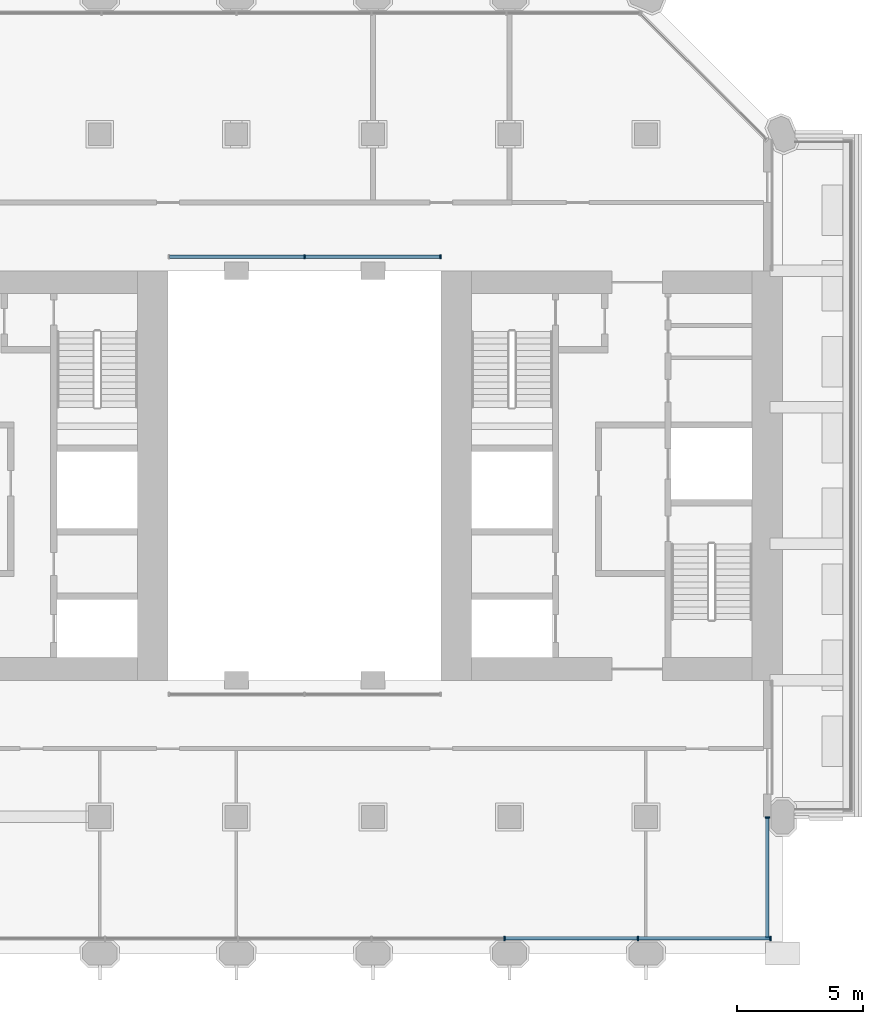
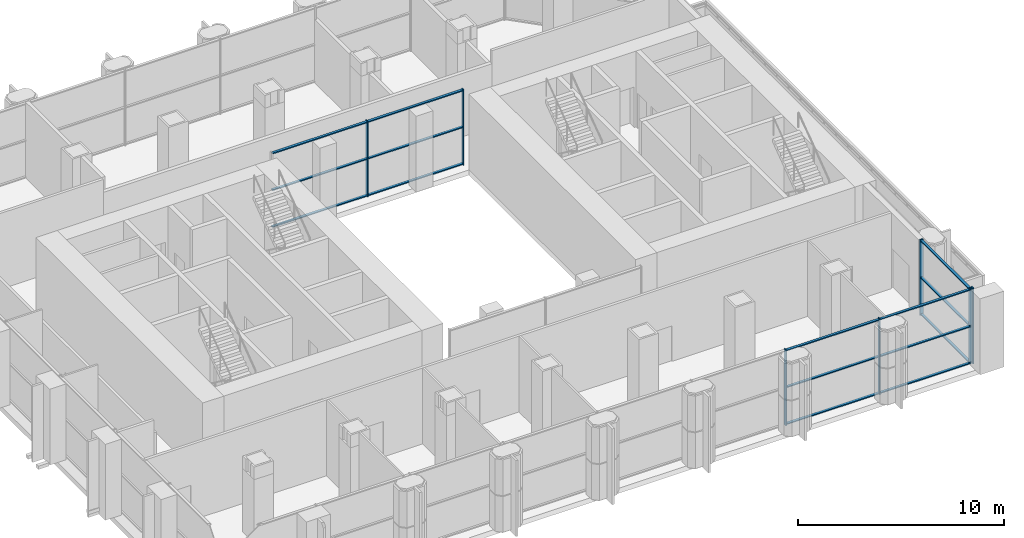
# One storey, part 5 of 15: 22 members, 3 elements without a shape of their own.
"""IFC4 building model written with IfcOpenShell, lengths in metres."""

from ifc_helpers import new_model, si_unit, direction, frame, origin, origin_2d, place, context, subcontext, project, spatial, rectangle, extrude, material, material_profile, profile_set, type_object, element, aggregate, save


model = new_model("IFC4")

# Units and contexts
model_context = context("Model", 3, precision=1e-05, world=origin(), true_north=direction((0.0, 1.0)))
body_context = subcontext(model_context, "Body", "Model", "MODEL_VIEW")
ifc_project = project(units=[si_unit("LENGTHUNIT", "METRE"), si_unit("AREAUNIT", "SQUARE_METRE"), si_unit("VOLUMEUNIT", "CUBIC_METRE"), si_unit("PLANEANGLEUNIT", "RADIAN"), si_unit("MASSUNIT", "GRAM", prefix="KILO")], contexts=[model_context])

# Site, building, storey
site_placement = place(None, origin())
site = spatial("IfcSite", under=ifc_project, at=site_placement, CompositionType="ELEMENT")
building_placement = place(site_placement, origin())
building = spatial("IfcBuilding", under=site, at=building_placement, Name="Tabaq Tower and Sports Hall", CompositionType="ELEMENT")
storey_placement = place(building_placement, frame((0.0, 0.0, 143.199951171875)))
storey = spatial("IfcBuildingStorey", under=building, at=storey_placement, Name="L33", CompositionType="ELEMENT", Elevation=143.199951171875)

# Curtain wall, members
ifc_material_1 = material(Name="Aluminium alloy 6063-T6 framed glazing", Category="aluminium")
curtain_wall_type_1 = type_object("IfcCurtainWallType", Name="CW1 curtain wall", PredefinedType="USERDEFINED", material=ifc_material_1)
curtain_wall_1_placement = place(storey_placement, origin())
curtain_wall_1 = element("IfcCurtainWall", 1, at=curtain_wall_1_placement, inside=storey, type_object=curtain_wall_type_1, Name="Atrium glazing L33 N", ObjectType="ATRIUM ENCLOSURE", PredefinedType="USERDEFINED")
ifc_material_2 = material(Name="Aluminium alloy 6063-T6", Category="aluminium")
ifc_material_profile_1 = material_profile(ifc_material_2, rectangle(XDim=0.159912109375, YDim=0.06005859375, at=origin_2d()), Name="MULLION 160x60")
ifc_profile_set_1 = profile_set([ifc_material_profile_1], Name="Aluminium alloy 6063-T6")
member_type_1 = type_object("IfcMemberType", Name="CW1 mullion 160x60", PredefinedType="MULLION", material=ifc_profile_set_1)
member_1_placement = place(storey_placement, frame((24.300048828125, 32.949951171875, 0.0), z_axis=(0.0, 0.0, 1.0), x_axis=(0.0, 1.0, 0.0)))
member_1 = element("IfcMember", 2, at=member_1_placement, type_object=member_type_1, Name="CW1 mullion 2", PredefinedType="MULLION", context=body_context, shape_type="SweptSolid", body=[
    extrude(rectangle(XDim=0.159912109375, YDim=0.06005859375, at=origin_2d()), origin(), (0.0, 0.0, 1.0), 4.5),
])
member_2_placement = place(storey_placement, frame((29.669921875, 32.949951171875, 0.0), z_axis=(0.0, 0.0, 1.0), x_axis=(0.0, 1.0, 0.0)))
member_2 = element("IfcMember", 3, at=member_2_placement, type_object=member_type_1, Name="CW1 mullion 3", PredefinedType="MULLION", context=body_context, shape_type="SweptSolid", body=[
    extrude(rectangle(XDim=0.159912109375, YDim=0.06005859375, at=origin_2d()), origin(), (0.0, 0.0, 1.0), 4.5),
])
ifc_material_3 = material(Name="Aluminium alloy 6063-T6", Category="aluminium")
ifc_material_profile_2 = material_profile(ifc_material_3, rectangle(XDim=0.139892578125, YDim=0.06005859375, at=origin_2d()), Name="TRANSOM 140x60")
ifc_profile_set_2 = profile_set([ifc_material_profile_2], Name="Aluminium alloy 6063-T6")
member_type_2 = type_object("IfcMemberType", Name="CW1 transom 140x60", PredefinedType="USERDEFINED", material=ifc_profile_set_2)
member_3_placement = place(storey_placement, frame((18.9599609375, 32.949951171875, 0.070068359375), z_axis=(1.0, 0.0, 0.0), x_axis=(0.0, 1.0, 0.0)))
member_3 = element("IfcMember", 4, at=member_3_placement, type_object=member_type_2, Name="CW1 transom 1.1", ObjectType="TRANSOM", PredefinedType="USERDEFINED", context=body_context, shape_type="SweptSolid", body=[
    extrude(rectangle(XDim=0.139892578125, YDim=0.06005859375, at=origin_2d()), origin(), (0.0, 0.0, 1.0), 5.31005859375),
])
member_4_placement = place(storey_placement, frame((18.9599609375, 32.949951171875, 2.25), z_axis=(1.0, 0.0, 0.0), x_axis=(0.0, 1.0, 0.0)))
member_4 = element("IfcMember", 5, at=member_4_placement, type_object=member_type_2, Name="CW1 transom 1.2", ObjectType="TRANSOM", PredefinedType="USERDEFINED", context=body_context, shape_type="SweptSolid", body=[
    extrude(rectangle(XDim=0.139892578125, YDim=0.06005859375, at=origin_2d()), origin(), (0.0, 0.0, 1.0), 5.31005859375),
])
member_5_placement = place(storey_placement, frame((18.9599609375, 32.949951171875, 4.429931640625), z_axis=(1.0, 0.0, 0.0), x_axis=(0.0, 1.0, 0.0)))
member_5 = element("IfcMember", 6, at=member_5_placement, type_object=member_type_2, Name="CW1 transom 1.3", ObjectType="TRANSOM", PredefinedType="USERDEFINED", context=body_context, shape_type="SweptSolid", body=[
    extrude(rectangle(XDim=0.139892578125, YDim=0.06005859375, at=origin_2d()), origin(), (0.0, 0.0, 1.0), 5.31005859375),
])
member_6_placement = place(storey_placement, frame((24.330078125, 32.949951171875, 0.070068359375), z_axis=(1.0, 0.0, 0.0), x_axis=(0.0, 1.0, 0.0)))
member_6 = element("IfcMember", 7, at=member_6_placement, type_object=member_type_2, Name="CW1 transom 2.1", ObjectType="TRANSOM", PredefinedType="USERDEFINED", context=body_context, shape_type="SweptSolid", body=[
    extrude(rectangle(XDim=0.139892578125, YDim=0.06005859375, at=origin_2d()), origin(), (0.0, 0.0, 1.0), 5.309814453125),
])
member_7_placement = place(storey_placement, frame((24.330078125, 32.949951171875, 2.25), z_axis=(1.0, 0.0, 0.0), x_axis=(0.0, 1.0, 0.0)))
member_7 = element("IfcMember", 8, at=member_7_placement, type_object=member_type_2, Name="CW1 transom 2.2", ObjectType="TRANSOM", PredefinedType="USERDEFINED", context=body_context, shape_type="SweptSolid", body=[
    extrude(rectangle(XDim=0.139892578125, YDim=0.06005859375, at=origin_2d()), origin(), (0.0, 0.0, 1.0), 5.309814453125),
])
member_8_placement = place(storey_placement, frame((24.330078125, 32.949951171875, 4.429931640625), z_axis=(1.0, 0.0, 0.0), x_axis=(0.0, 1.0, 0.0)))
member_8 = element("IfcMember", 9, at=member_8_placement, type_object=member_type_2, Name="CW1 transom 2.3", ObjectType="TRANSOM", PredefinedType="USERDEFINED", context=body_context, shape_type="SweptSolid", body=[
    extrude(rectangle(XDim=0.139892578125, YDim=0.06005859375, at=origin_2d()), origin(), (0.0, 0.0, 1.0), 5.309814453125),
])
aggregate(curtain_wall_1, [member_1, member_2, member_3, member_4, member_5, member_6, member_7, member_8])

ifc_material_4 = material(Name="Aluminium alloy 6063-T6 framed glazing", Category="aluminium")
curtain_wall_type_2 = type_object("IfcCurtainWallType", Name="CW3 curtain wall", PredefinedType="USERDEFINED", material=ifc_material_4)
curtain_wall_2_placement = place(storey_placement, origin())
curtain_wall_2 = element("IfcCurtainWall", 10, at=curtain_wall_2_placement, inside=storey, type_object=curtain_wall_type_2, Name="Garden Floor Wall L33 S", ObjectType="GARDEN FLOOR WALL", PredefinedType="USERDEFINED")
ifc_material_5 = material(Name="Aluminium alloy 6063-T6", Category="aluminium")
ifc_material_profile_3 = material_profile(ifc_material_5, rectangle(XDim=0.179931640625, YDim=0.06005859375, at=origin_2d()), Name="MULLION 180x60")
ifc_profile_set_3 = profile_set([ifc_material_profile_3], Name="Aluminium alloy 6063-T6")
member_type_3 = type_object("IfcMemberType", Name="CW3 mullion 180x60", PredefinedType="MULLION", material=ifc_profile_set_3)
member_9_placement = place(storey_placement, frame((32.21240234375, 6.0, 0.0), z_axis=(0.0, 0.0, 1.0), x_axis=(0.0, 1.0, 0.0)))
member_9 = element("IfcMember", 11, at=member_9_placement, type_object=member_type_3, Name="CW3 mullion 7", PredefinedType="MULLION", context=body_context, shape_type="SweptSolid", body=[
    extrude(rectangle(XDim=0.179931640625, YDim=0.06005859375, at=origin_2d()), origin(), (0.0, 0.0, 1.0), 4.5),
])
member_10_placement = place(storey_placement, frame((37.481201171875, 6.0, 0.0), z_axis=(0.0, 0.0, 1.0), x_axis=(0.0, 1.0, 0.0)))
member_10 = element("IfcMember", 12, at=member_10_placement, type_object=member_type_3, Name="CW3 mullion 8", PredefinedType="MULLION", context=body_context, shape_type="SweptSolid", body=[
    extrude(rectangle(XDim=0.179931640625, YDim=0.06005859375, at=origin_2d()), origin(), (0.0, 0.0, 1.0), 4.5),
])
member_11_placement = place(storey_placement, frame((42.719970703125, 6.0, 0.0), z_axis=(0.0, 0.0, 1.0), x_axis=(0.0, 1.0, 0.0)))
member_11 = element("IfcMember", 13, at=member_11_placement, type_object=member_type_3, Name="CW3 mullion 9", PredefinedType="MULLION", context=body_context, shape_type="SweptSolid", body=[
    extrude(rectangle(XDim=0.179931640625, YDim=0.06005859375, at=origin_2d()), origin(), (0.0, 0.0, 1.0), 4.5),
])

curtain_wall_3_placement = place(storey_placement, origin())
curtain_wall_3 = element("IfcCurtainWall", 14, at=curtain_wall_3_placement, inside=storey, type_object=curtain_wall_type_2, Name="Garden Floor Wall L33 E", ObjectType="GARDEN FLOOR WALL", PredefinedType="USERDEFINED")
member_12_placement = place(storey_placement, frame((42.60009765625, 6.030029296875, 0.0), z_axis=(0.0, 0.0, 1.0), x_axis=(-1.0, 0.0, 0.0)))
member_12 = element("IfcMember", 15, at=member_12_placement, type_object=member_type_3, Name="CW3 mullion 1", PredefinedType="MULLION", context=body_context, shape_type="SweptSolid", body=[
    extrude(rectangle(XDim=0.179931640625, YDim=0.06005859375, at=origin_2d()), origin(), (0.0, 0.0, 1.0), 4.5),
])
member_13_placement = place(storey_placement, frame((42.60009765625, 10.77001953125, 0.0), z_axis=(0.0, 0.0, 1.0), x_axis=(-1.0, 0.0, 0.0)))
member_13 = element("IfcMember", 16, at=member_13_placement, type_object=member_type_3, Name="CW3 mullion 2", PredefinedType="MULLION", context=body_context, shape_type="SweptSolid", body=[
    extrude(rectangle(XDim=0.179931640625, YDim=0.06005859375, at=origin_2d()), origin(), (0.0, 0.0, 1.0), 4.5),
])

# Member
ifc_material_6 = material(Name="Aluminium alloy 6063-T6", Category="aluminium")
ifc_material_profile_4 = material_profile(ifc_material_6, rectangle(XDim=0.139892578125, YDim=0.06005859375, at=origin_2d()), Name="TRANSOM 140x60")
ifc_profile_set_4 = profile_set([ifc_material_profile_4], Name="Aluminium alloy 6063-T6")
member_type_4 = type_object("IfcMemberType", Name="CW3 transom 140x60", PredefinedType="USERDEFINED", material=ifc_profile_set_4)
member_14_placement = place(storey_placement, frame((32.242431640625, 6.0, 0.070068359375), z_axis=(1.0, 0.0, 0.0), x_axis=(0.0, 1.0, 0.0)))
member_14 = element("IfcMember", 17, at=member_14_placement, type_object=member_type_4, Name="CW3 transom 7.1", ObjectType="TRANSOM", PredefinedType="USERDEFINED", context=body_context, shape_type="SweptSolid", body=[
    extrude(rectangle(XDim=0.139892578125, YDim=0.06005859375, at=origin_2d()), origin(), (0.0, 0.0, 1.0), 5.208740234375),
])

member_15_placement = place(storey_placement, frame((32.242431640625, 6.0, 2.25), z_axis=(1.0, 0.0, 0.0), x_axis=(0.0, 1.0, 0.0)))
member_15 = element("IfcMember", 18, at=member_15_placement, type_object=member_type_4, Name="CW3 transom 7.2", ObjectType="TRANSOM", PredefinedType="USERDEFINED", context=body_context, shape_type="SweptSolid", body=[
    extrude(rectangle(XDim=0.139892578125, YDim=0.06005859375, at=origin_2d()), origin(), (0.0, 0.0, 1.0), 5.208740234375),
])

member_16_placement = place(storey_placement, frame((32.242431640625, 6.0, 4.429931640625), z_axis=(1.0, 0.0, 0.0), x_axis=(0.0, 1.0, 0.0)))
member_16 = element("IfcMember", 19, at=member_16_placement, type_object=member_type_4, Name="CW3 transom 7.3", ObjectType="TRANSOM", PredefinedType="USERDEFINED", context=body_context, shape_type="SweptSolid", body=[
    extrude(rectangle(XDim=0.139892578125, YDim=0.06005859375, at=origin_2d()), origin(), (0.0, 0.0, 1.0), 5.208740234375),
])

member_17_placement = place(storey_placement, frame((37.51123046875, 6.0, 0.070068359375), z_axis=(1.0, 0.0, 0.0), x_axis=(0.0, 1.0, 0.0)))
member_17 = element("IfcMember", 20, at=member_17_placement, type_object=member_type_4, Name="CW3 transom 8.1", ObjectType="TRANSOM", PredefinedType="USERDEFINED", context=body_context, shape_type="SweptSolid", body=[
    extrude(rectangle(XDim=0.139892578125, YDim=0.06005859375, at=origin_2d()), origin(), (0.0, 0.0, 1.0), 5.1787109375),
])

member_18_placement = place(storey_placement, frame((37.51123046875, 6.0, 2.25), z_axis=(1.0, 0.0, 0.0), x_axis=(0.0, 1.0, 0.0)))
member_18 = element("IfcMember", 21, at=member_18_placement, type_object=member_type_4, Name="CW3 transom 8.2", ObjectType="TRANSOM", PredefinedType="USERDEFINED", context=body_context, shape_type="SweptSolid", body=[
    extrude(rectangle(XDim=0.139892578125, YDim=0.06005859375, at=origin_2d()), origin(), (0.0, 0.0, 1.0), 5.1787109375),
])

member_19_placement = place(storey_placement, frame((37.51123046875, 6.0, 4.429931640625), z_axis=(1.0, 0.0, 0.0), x_axis=(0.0, 1.0, 0.0)))
member_19 = element("IfcMember", 22, at=member_19_placement, type_object=member_type_4, Name="CW3 transom 8.3", ObjectType="TRANSOM", PredefinedType="USERDEFINED", context=body_context, shape_type="SweptSolid", body=[
    extrude(rectangle(XDim=0.139892578125, YDim=0.06005859375, at=origin_2d()), origin(), (0.0, 0.0, 1.0), 5.1787109375),
])

aggregate(curtain_wall_2, [member_9, member_10, member_11, member_14, member_15, member_16, member_17, member_18, member_19])

member_20_placement = place(storey_placement, frame((42.60009765625, 6.06005859375, 0.070068359375), z_axis=(0.0, 1.0, 0.0), x_axis=(-1.0, 0.0, 0.0)))
member_20 = element("IfcMember", 23, at=member_20_placement, type_object=member_type_4, Name="CW3 transom 1.1", ObjectType="TRANSOM", PredefinedType="USERDEFINED", context=body_context, shape_type="SweptSolid", body=[
    extrude(rectangle(XDim=0.139892578125, YDim=0.06005859375, at=origin_2d()), origin(), (0.0, 0.0, 1.0), 4.679931640625),
])

member_21_placement = place(storey_placement, frame((42.60009765625, 6.06005859375, 2.25), z_axis=(0.0, 1.0, 0.0), x_axis=(-1.0, 0.0, 0.0)))
member_21 = element("IfcMember", 24, at=member_21_placement, type_object=member_type_4, Name="CW3 transom 1.2", ObjectType="TRANSOM", PredefinedType="USERDEFINED", context=body_context, shape_type="SweptSolid", body=[
    extrude(rectangle(XDim=0.139892578125, YDim=0.06005859375, at=origin_2d()), origin(), (0.0, 0.0, 1.0), 4.679931640625),
])

member_22_placement = place(storey_placement, frame((42.60009765625, 6.06005859375, 4.429931640625), z_axis=(0.0, 1.0, 0.0), x_axis=(-1.0, 0.0, 0.0)))
member_22 = element("IfcMember", 25, at=member_22_placement, type_object=member_type_4, Name="CW3 transom 1.3", ObjectType="TRANSOM", PredefinedType="USERDEFINED", context=body_context, shape_type="SweptSolid", body=[
    extrude(rectangle(XDim=0.139892578125, YDim=0.06005859375, at=origin_2d()), origin(), (0.0, 0.0, 1.0), 4.679931640625),
])

aggregate(curtain_wall_3, [member_12, member_13, member_20, member_21, member_22])

save(model, "model.ifc")
